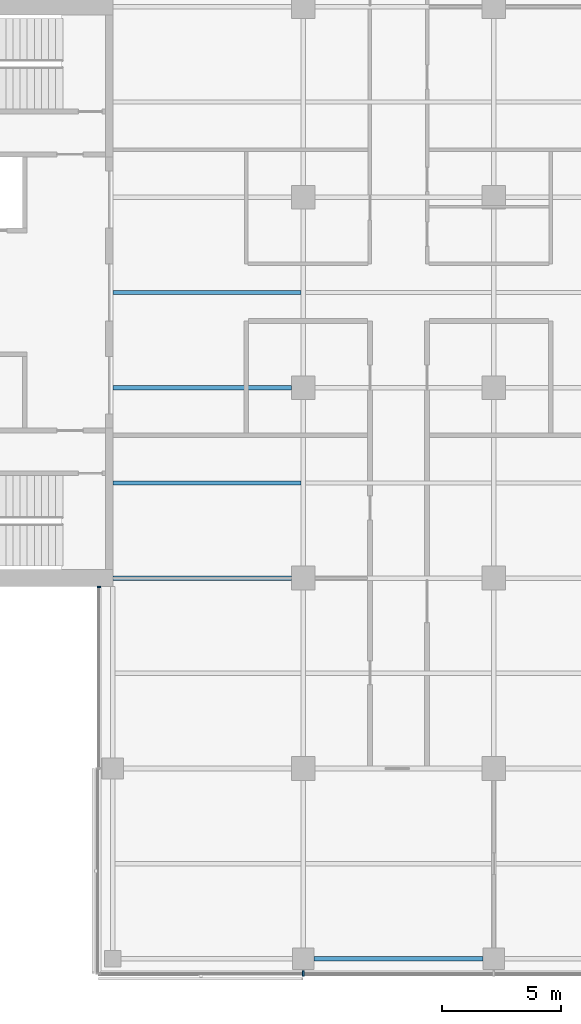
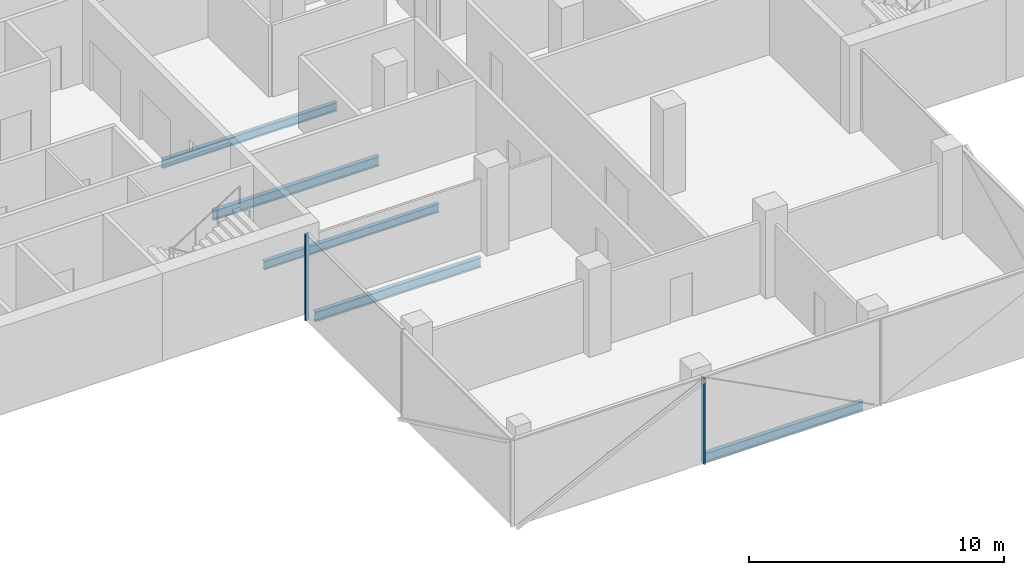
# One storey, part 4 of 22: 5 beams, 2 members, 2 elements without a shape of their own.
"""IFC4 building model written with IfcOpenShell, lengths in metres."""

from ifc_helpers import new_model, si_unit, direction, frame, origin, origin_2d, place, context, subcontext, project, spatial, rectangle, i_section, extrude, material, material_profile, profile_set, type_object, element, aggregate, save


model = new_model("IFC4")

# Units and contexts
model_context = context("Model", 3, precision=1e-05, world=origin(), true_north=direction((0.0, 1.0)))
body_context = subcontext(model_context, "Body", "Model", "MODEL_VIEW")
ifc_project = project(units=[si_unit("LENGTHUNIT", "METRE"), si_unit("AREAUNIT", "SQUARE_METRE"), si_unit("VOLUMEUNIT", "CUBIC_METRE"), si_unit("PLANEANGLEUNIT", "RADIAN"), si_unit("MASSUNIT", "GRAM", prefix="KILO")], contexts=[model_context])

# Site, building, storey
site_placement = place(None, origin())
site = spatial("IfcSite", under=ifc_project, at=site_placement, CompositionType="ELEMENT")
building_placement = place(site_placement, origin())
building = spatial("IfcBuilding", under=site, at=building_placement, Name="Crosswind Convention Tower", CompositionType="ELEMENT")
storey_placement = place(building_placement, frame((0.0, 0.0, 142.10009765625)))
storey = spatial("IfcBuildingStorey", under=building, at=storey_placement, Name="L29", CompositionType="ELEMENT", Elevation=142.10009765625)

# Beams
ifc_material_1 = material(Name="Steel S355", Category="steel")
ifc_material_profile_1 = material_profile(ifc_material_1, i_section(OverallWidth=0.18994140625, OverallDepth=0.45361328125, WebThickness=0.008544921875, FlangeThickness=0.0126953125, FilletRadius=0.01025390625, at=origin_2d()), Name="UB 457x191x67")
ifc_profile_set_1 = profile_set([ifc_material_profile_1], Name="Steel S355")
beam_type_1 = type_object("IfcBeamType", Name="Edge beam UB 457x191x67", PredefinedType="SPANDREL", material=ifc_profile_set_1)
beam_placement = place(storey_placement, frame((121.449951171875, 72.0, -0.52685546875), z_axis=(1.0, 0.0, 0.0), x_axis=(0.0, 1.0, 0.0)))
element("IfcBeam", 1, at=beam_placement, inside=storey, type_object=beam_type_1, Name="B16 L29 edge beam 12", PredefinedType="SPANDREL", context=body_context, shape_type="SweptSolid", body=[
    extrude(i_section(OverallWidth=0.18994140625, OverallDepth=0.45361328125, WebThickness=0.008544921875, FlangeThickness=0.0126953125, FilletRadius=0.01025390625, at=origin_2d()), origin(), (0.0, 0.0, 1.0), 7.10009765625),
])
ifc_material_profile_2 = material_profile(ifc_material_1, i_section(OverallWidth=0.19189453125, OverallDepth=0.463623046875, WebThickness=0.010498046875, FlangeThickness=0.017578125, FilletRadius=0.01025390625, at=origin_2d()), Name="UB 457x191x90")
ifc_profile_set_2 = profile_set([ifc_material_profile_2], Name="Steel S355")
beam_type_2 = type_object("IfcBeamType", Name="Girder at core wall UB 457x191x90", PredefinedType="BEAM", material=ifc_profile_set_2)
for number, where, z_axis, x_axis, name in (
    (2, (113.0, 88.0, -0.531982421875), (1.0, 0.0, 0.0), (0.0, 1.0, 0.0), "B24 L29 girder at core wall 3"),
    (3, (113.0, 96.0, -0.531982421875), (1.0, 0.0, 0.0), (0.0, 1.0, 0.0), "B24 L29 girder at core wall 4"),
):
    element("IfcBeam", number, at=place(storey_placement, frame(where, z_axis=z_axis, x_axis=x_axis)), inside=storey, type_object=beam_type_2, Name=name, PredefinedType="BEAM", context=body_context, shape_type="SweptSolid", body=[
        extrude(i_section(OverallWidth=0.19189453125, OverallDepth=0.463623046875, WebThickness=0.010498046875, FlangeThickness=0.017578125, FilletRadius=0.01025390625, at=origin_2d()), origin(), (0.0, 0.0, 1.0), 7.5),
    ])

# Curtain wall, member
ifc_material_2 = material(Name="Aluminium unitised curtain wall", Category="aluminium")
curtain_wall_type_1 = type_object("IfcCurtainWallType", Name="CORE END SLOT WALL 160", PredefinedType="USERDEFINED", material=ifc_material_2)
curtain_wall_1_placement = place(storey_placement, origin())
curtain_wall_1 = element("IfcCurtainWall", 4, at=curtain_wall_1_placement, inside=storey, type_object=curtain_wall_type_1, Name="CW6 L29 S-W.1-1 slot", ObjectType="UNITISED", PredefinedType="USERDEFINED")
ifc_material_3 = material(Name="Aluminium mullion", Category="aluminium")
ifc_material_profile_3 = material_profile(ifc_material_3, rectangle(XDim=0.159912109375, YDim=0.050048828125, at=origin_2d()), Name="AL 160X50")
ifc_profile_set_3 = profile_set([ifc_material_profile_3], Name="Aluminium mullion")
member_type_1 = type_object("IfcMemberType", Name="MULLION 50X160", PredefinedType="MULLION", material=ifc_profile_set_3)
member_1_placement = place(storey_placement, frame((112.419921875, 87.625, -0.300048828125), z_axis=(0.0, 0.0, 1.0), x_axis=(-1.0, 0.0, 0.0)))
member_1 = element("IfcMember", 5, at=member_1_placement, type_object=member_type_1, Name="CW6 mullion 1", PredefinedType="MULLION", context=body_context, shape_type="SweptSolid", body=[
    extrude(rectangle(XDim=0.159912109375, YDim=0.050048828125, at=origin_2d()), origin(), (0.0, 0.0, 1.0), 4.14990234375),
])
aggregate(curtain_wall_1, [member_1])

curtain_wall_type_2 = type_object("IfcCurtainWallType", Name="OFFICE UNITISED WALL 220", PredefinedType="USERDEFINED", material=ifc_material_2)
curtain_wall_2_placement = place(storey_placement, origin())
curtain_wall_2 = element("IfcCurtainWall", 6, at=curtain_wall_2_placement, inside=storey, type_object=curtain_wall_type_2, Name="CW3 L29 S-TIP 1", ObjectType="UNITISED", PredefinedType="USERDEFINED")
ifc_material_profile_4 = material_profile(ifc_material_3, rectangle(XDim=0.219970703125, YDim=0.070068359375, at=origin_2d()), Name="AL 220X70")
ifc_profile_set_4 = profile_set([ifc_material_profile_4], Name="Aluminium mullion")
member_type_2 = type_object("IfcMemberType", Name="MULLION 70X220", PredefinedType="MULLION", material=ifc_profile_set_4)
member_2_placement = place(storey_placement, frame((121.0, 71.389892578125, -0.300048828125), z_axis=(0.0, 0.0, 1.0), x_axis=(0.0, -1.0, 0.0)))
member_2 = element("IfcMember", 7, at=member_2_placement, type_object=member_type_2, Name="CW3 mullion 2", PredefinedType="MULLION", context=body_context, shape_type="SweptSolid", body=[
    extrude(rectangle(XDim=0.219970703125, YDim=0.070068359375, at=origin_2d()), origin(), (0.0, 0.0, 1.0), 4.1298828125),
])
aggregate(curtain_wall_2, [member_2])

# Beams
ifc_material_profile_5 = material_profile(ifc_material_1, i_section(OverallWidth=0.177734375, OverallDepth=0.406494140625, WebThickness=0.0078125, FlangeThickness=0.0126953125, FilletRadius=0.01025390625, at=origin_2d()), Name="UB 406x178x60")
ifc_profile_set_5 = profile_set([ifc_material_profile_5], Name="Steel S355")
beam_type_3 = type_object("IfcBeamType", Name="Secondary beam UB 406x178x60", PredefinedType="JOIST", material=ifc_profile_set_5)
for number, where, z_axis, x_axis, name in (
    (8, (113.0, 92.0, -0.50341796875), (1.0, 0.0, 0.0), (0.0, 1.0, 0.0), "B10 L29 secondary beam 4"),
    (9, (113.0, 100.0, -0.50341796875), (1.0, 0.0, 0.0), (0.0, 1.0, 0.0), "B10 L29 secondary beam 5"),
):
    element("IfcBeam", number, at=place(storey_placement, frame(where, z_axis=z_axis, x_axis=x_axis)), inside=storey, type_object=beam_type_3, Name=name, PredefinedType="JOIST", context=body_context, shape_type="SweptSolid", body=[
        extrude(i_section(OverallWidth=0.177734375, OverallDepth=0.406494140625, WebThickness=0.0078125, FlangeThickness=0.0126953125, FilletRadius=0.01025390625, at=origin_2d()), origin(), (0.0, 0.0, 1.0), 7.904296875),
    ])

save(model, "model.ifc")
